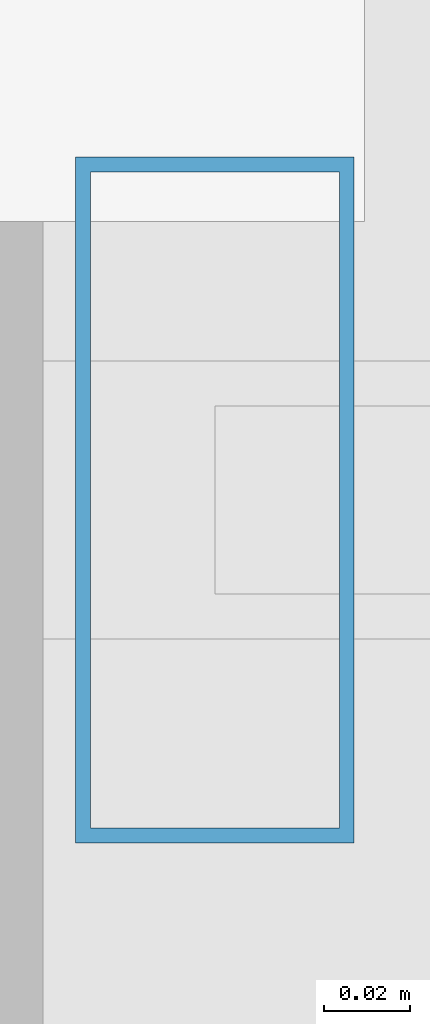
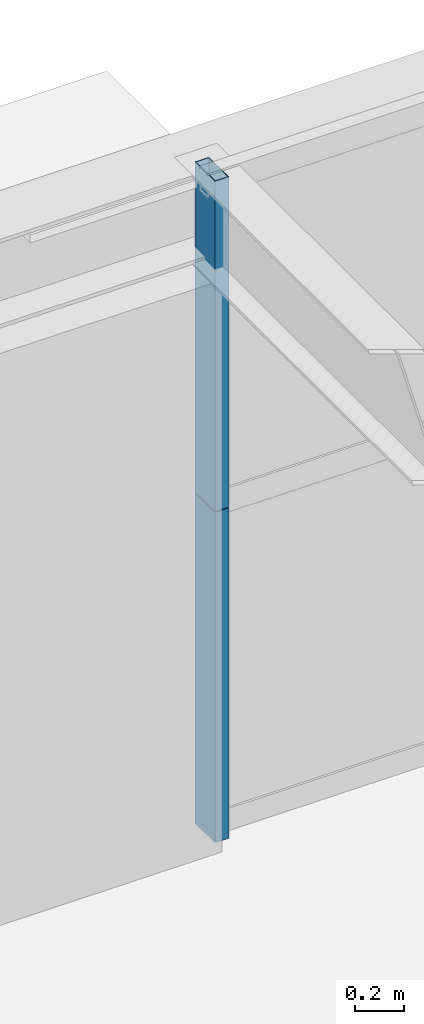
# One storey, part 24 of 36: 2 members, 1 element without a shape of its own.
"""IFC4 building model written with IfcOpenShell, lengths in metres."""

from ifc_helpers import new_model, si_unit, direction, frame, origin, origin_2d, place, context, subcontext, project, spatial, hollow_rectangle, extrude, source, transform, mapped, material, layer, layer_set, material_profile, profile_set, type_object, element, aggregate, save


model = new_model("IFC4")

# Units and contexts
model_context = context("Model", 3, precision=1e-05, world=origin(), true_north=direction((0.0, 1.0)))
body_context = subcontext(model_context, "Body", "Model", "MODEL_VIEW")
ifc_project = project(units=[si_unit("LENGTHUNIT", "METRE"), si_unit("AREAUNIT", "SQUARE_METRE"), si_unit("VOLUMEUNIT", "CUBIC_METRE"), si_unit("PLANEANGLEUNIT", "RADIAN"), si_unit("MASSUNIT", "GRAM", prefix="KILO"), si_unit("THERMODYNAMICTEMPERATUREUNIT", "KELVIN"), si_unit("POWERUNIT", "WATT")], contexts=[model_context])

# Site, building, storey
site_placement = place(None, origin())
site = spatial("IfcSite", under=ifc_project, at=site_placement, CompositionType="ELEMENT")
building_placement = place(site_placement, origin())
building = spatial("IfcBuilding", under=site, at=building_placement, Name="Yuzanri Waterfront Tower", CompositionType="ELEMENT")
storey_placement = place(building_placement, frame((0.0, 0.0, 231.10009765625)))
storey = spatial("IfcBuildingStorey", under=building, at=storey_placement, Name="L61", CompositionType="ELEMENT", Elevation=231.10009765625)

# Curtain wall, members
ifc_material_1 = material(Name="Anodized Architectural Bronze", Category="metal")
ifc_layer = layer(ifc_material_1, 0.159912109375)
ifc_layer_set = layer_set([ifc_layer], Name="Anodized Architectural Bronze")
curtain_wall_type = type_object("IfcCurtainWallType", Name="Anodized Bronze Mid-Rise Residential Acoustic Unitized Curtain Wall 7200", PredefinedType="NOTDEFINED", material=ifc_layer_set)
curtain_wall_placement = place(storey_placement, origin())
curtain_wall = element("IfcCurtainWall", 1, at=curtain_wall_placement, inside=storey, type_object=curtain_wall_type, Name="L61 Curtain Wall CW-L61-NL", PredefinedType="NOTDEFINED")
ifc_material_2 = material(Name="Anodized Architectural Bronze", Category="metal")
ifc_material_profile = material_profile(ifc_material_2, hollow_rectangle(XDim=0.06494140625, YDim=0.159912109375, WallThickness=0.00341796875, at=origin_2d()), Name="CWM 65x160")
ifc_profile_set = profile_set([ifc_material_profile], Name="Anodized Architectural Bronze")
member_type = type_object("IfcMemberType", Name="Anodized Bronze Upper-Zone Curtain-Wall Mullion 65x160", PredefinedType="MULLION", material=ifc_profile_set)
shared_shape = source(origin(), body_context, "Body", "SweptSolid", [
    extrude(hollow_rectangle(XDim=0.06494140625, YDim=0.159912109375, WallThickness=0.00341796875, at=origin_2d()), origin(), (0.0, 0.0, 1.0), 1.637939453125),
])
member_1_placement = place(storey_placement, frame((23.7900390625, 46.25, 0.0), z_axis=(0.0, 0.0, 1.0), x_axis=(1.0, 0.0, 0.0)))
member_1 = element("IfcMember", 2, at=member_1_placement, type_object=member_type, Name="CW-L61-NL Lower Mullion 00", PredefinedType="MULLION", context=body_context, shape_type="MappedRepresentation", body=[
    mapped(shared_shape, transform((0.0, 0.0, 0.0), scale=1.0)),
])
member_2_placement = place(storey_placement, frame((23.7900390625, 46.25, 1.641845703125), z_axis=(0.0, 0.0, 1.0), x_axis=(1.0, 0.0, 0.0)))
member_2 = element("IfcMember", 3, at=member_2_placement, type_object=member_type, Name="CW-L61-NL Upper Mullion 00", PredefinedType="MULLION", context=body_context, shape_type="MappedRepresentation", body=[
    mapped(shared_shape, transform((0.0, 0.0, 0.0), scale=1.0)),
])
aggregate(curtain_wall, [member_1, member_2])

save(model, "model.ifc")
